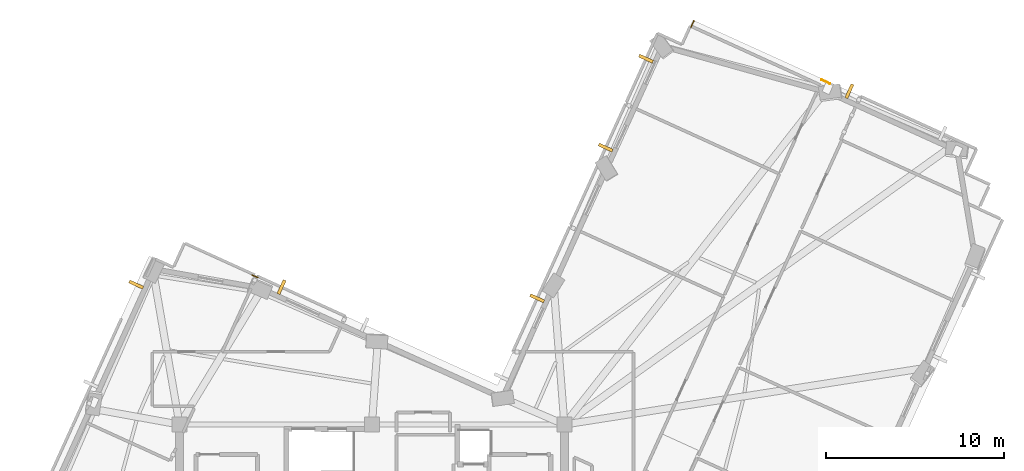
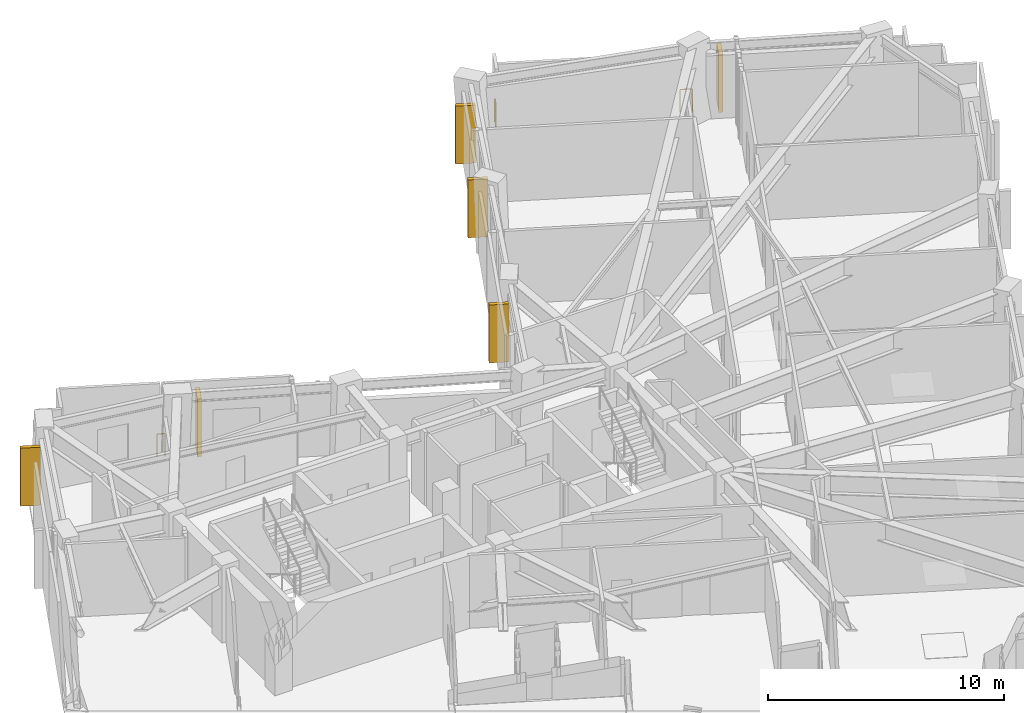
# One storey, part 12 of 13: 6 shading devices, 3 railings.
"""IFC4 building model written with IfcOpenShell, lengths in metres."""

from ifc_helpers import new_model, si_unit, direction, frame, origin, origin_2d, place, context, subcontext, project, spatial, rectangle, circle, extrude, material, layer, layer_set, type_object, element, save


model = new_model("IFC4")

# Units and contexts
model_context = context("Model", 3, precision=1e-05, world=origin(), true_north=direction((0.0, 1.0)))
body_context = subcontext(model_context, "Body", "Model", "MODEL_VIEW")
ifc_project = project(units=[si_unit("LENGTHUNIT", "METRE"), si_unit("AREAUNIT", "SQUARE_METRE"), si_unit("VOLUMEUNIT", "CUBIC_METRE"), si_unit("PLANEANGLEUNIT", "RADIAN"), si_unit("MASSUNIT", "GRAM", prefix="KILO")], contexts=[model_context])

# Site, building, storey
site_placement = place(None, origin())
site = spatial("IfcSite", under=ifc_project, at=site_placement, CompositionType="ELEMENT")
building_placement = place(site_placement, origin())
building = spatial("IfcBuilding", under=site, at=building_placement, Name="Gaonmaruhae Medical Tower", CompositionType="ELEMENT")
storey_placement = place(building_placement, frame((0.0, 0.0, 304.60009765625)))
storey = spatial("IfcBuildingStorey", under=building, at=storey_placement, Name="L73", CompositionType="ELEMENT", Elevation=304.60009765625)

# Railings
ifc_material_1 = material(Name="Stainless steel 316L and laminated safety glass", Category="steel")
ifc_layer = layer(ifc_material_1, 0.080078125)
ifc_layer_set = layer_set([ifc_layer], Name="Stainless steel 316L and laminated safety glass")
railing_type = type_object("IfcRailingType", Name="GD-120 Outdoor Terrace Safety Glass & Steel Balustrade", PredefinedType="BALUSTRADE", material=ifc_layer_set)
railing_1_placement = place(storey_placement, frame((18.078125, 25.189453125, 0.0)))
element("IfcRailing", 1, at=railing_1_placement, inside=storey, type_object=railing_type, Name="L73 Perimeter Slab Edge Safety Balustrade 01", PredefinedType="BALUSTRADE", context=body_context, shape_type="SweptSolid", body=[
    extrude(circle(Radius=0.02392578125, at=origin_2d()), frame((0.0, 0.0, 1.17578125), z_axis=(0.910391161337, -0.413748635477, 0.0), x_axis=(0.413748635477, 0.910391161337, 0.0)), (0.0, 0.0, 1.0), 0.338623046875),
    extrude(circle(Radius=0.02099609375, at=origin_2d()), origin(), (0.0, 0.0, 1.0), 1.15185546875),
    extrude(circle(Radius=0.02099609375, at=origin_2d()), frame((0.308349609375, -0.14013671875, 0.0)), (0.0, 0.0, 1.0), 1.15185546875),
])
railing_2_placement = place(storey_placement, frame((42.70556640625, 39.100341796875, 0.0)))
element("IfcRailing", 2, at=railing_2_placement, inside=storey, type_object=railing_type, Name="L73 Perimeter Slab Edge Safety Balustrade 02", PredefinedType="BALUSTRADE", context=body_context, shape_type="SweptSolid", body=[
    extrude(circle(Radius=0.02392578125, at=origin_2d()), frame((0.0, 0.0, 1.17578125), z_axis=(0.413382018719, 0.91055768988, 0.0), x_axis=(-0.91055768988, 0.413382018719, 0.0)), (0.0, 0.0, 1.0), 0.393310546875),
    extrude(circle(Radius=0.02099609375, at=origin_2d()), origin(), (0.0, 0.0, 1.0), 1.15185546875),
    extrude(circle(Radius=0.02099609375, at=origin_2d()), frame((0.16259765625, 0.358154296875, 0.0)), (0.0, 0.0, 1.0), 1.15185546875),
])
railing_3_placement = place(storey_placement, frame((50.026123046875, 36.14892578125, 0.0)))
element("IfcRailing", 3, at=railing_3_placement, inside=storey, type_object=railing_type, Name="L73 Perimeter Slab Edge Safety Balustrade 03", PredefinedType="BALUSTRADE", context=body_context, shape_type="SweptSolid", body=[
    extrude(circle(Radius=0.02392578125, at=origin_2d()), frame((0.0, 0.0, 1.17578125), z_axis=(0.910431153371, -0.413660627776, 0.0), x_axis=(0.413660627776, 0.910431153371, 0.0)), (0.0, 0.0, 1.0), 0.51708984375),
    extrude(circle(Radius=0.02099609375, at=origin_2d()), origin(), (0.0, 0.0, 1.0), 1.15185546875),
    extrude(circle(Radius=0.02099609375, at=origin_2d()), frame((0.470703125, -0.2138671875, 0.0)), (0.0, 0.0, 1.0), 1.15185546875),
])

# Shading devices
ifc_material_2 = material(Name="Pigmented coral precast concrete C45/55", Category="concrete")
shading_device_type = type_object("IfcShadingDeviceType", Name="SD-FIN1 Tower Vertical Coral Precast Shading Fin", PredefinedType="USERDEFINED", material=ifc_material_2)
for number, where, z_axis, x_axis, name in (
    (4, (51.59375, 35.507568359375, 0.13232421875), (0.0, 0.0, 1.0), (0.910322812467, -0.413898993841, 0.0), "L73 Vertical Coral Precast Shading Fin E01"),
    (5, (37.914306640625, 32.343994140625, 0.13232421875), (0.0, 0.0, 1.0), (0.413898993841, 0.910322812467, 0.0), "L73 Vertical Coral Precast Shading Fin E03"),
    (6, (40.182373046875, 37.33251953125, 0.13232421875), (0.0, 0.0, 1.0), (0.413898993841, 0.910322812467, 0.0), "L73 Vertical Coral Precast Shading Fin E03B"),
    (7, (34.0693359375, 23.887451171875, 0.13232421875), (0.0, 0.0, 1.0), (0.413898993841, 0.910322812467, 0.0), "L73 Vertical Coral Precast Shading Fin EN02B"),
    (8, (19.723388671875, 24.5126953125, 0.13232421875), (0.0, 0.0, 1.0), (0.910322812467, -0.413898993841, 0.0), "L73 Vertical Coral Precast Shading Fin NE01"),
    (9, (11.568603515625, 24.6533203125, 0.13232421875), (0.0, 0.0, 1.0), (0.413898993841, 0.910322812467, 0.0), "L73 Vertical Coral Precast Shading Fin N01B"),
):
    element("IfcShadingDevice", number, at=place(storey_placement, frame(where, z_axis=z_axis, x_axis=x_axis)), inside=storey, type_object=shading_device_type, Name=name, ObjectType="FIN", PredefinedType="USERDEFINED", context=body_context, shape_type="SweptSolid", body=[
        extrude(rectangle(XDim=0.179931640625, YDim=0.85009765625, at=origin_2d()), origin(), (0.0, 0.0, 1.0), 3.0),
    ])

save(model, "model.ifc")
